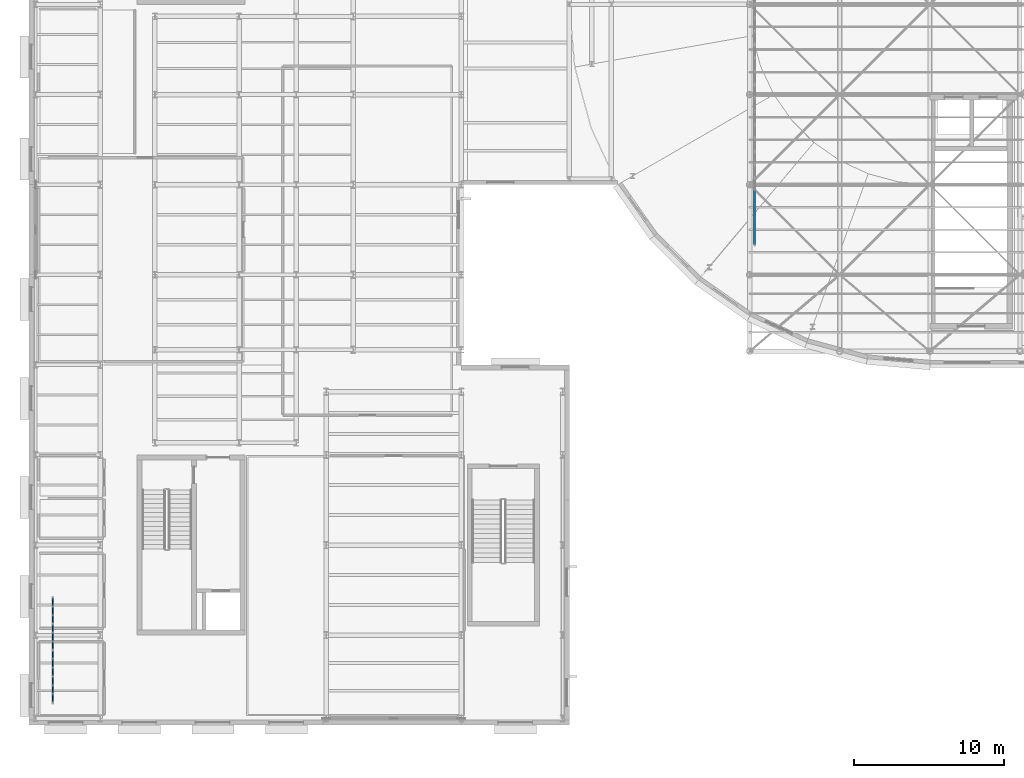
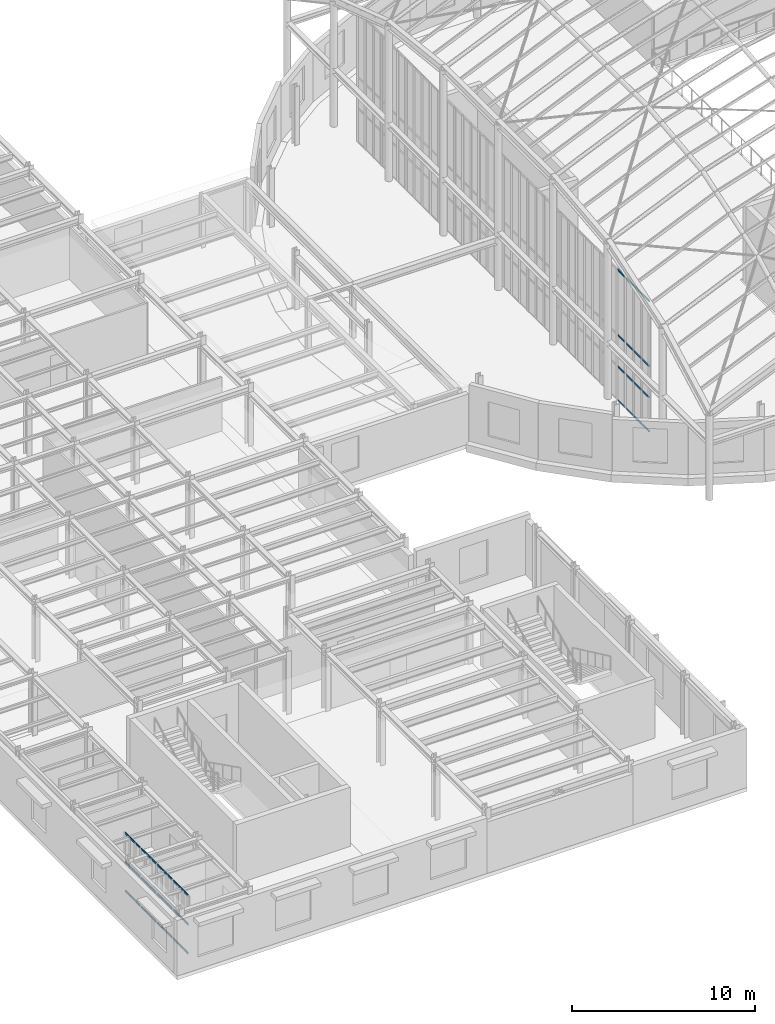
# One storey, part 41 of 75: 52 members, 6 elements without a shape of their own.
"""IFC4 building model written with IfcOpenShell, lengths in metres."""

import ifcopenshell
import ifcopenshell.guid

model = None  # the IFC model being written
_history = None  # IfcOwnerHistory: only IFC2X3 demands one
_inside = {}  # id of a spatial element -> (the spatial element, [elements in it])
_under = {}  # id of a project, library or spatial element -> (it, [spatial elements below it])
_declared = {}  # id of a project -> (the project, [libraries it declares])
_typed = {}  # id of a type object -> (the type object, [elements of that type])
_made_of = {}  # id of a material, layer set ... -> (it, [elements and type objects made of it])


def new_model(schema):
    """Start an empty IFC model of exactly this schema.

    Asked for "IFC4X3", IfcOpenShell would pick the latest addendum, in which some entities
    have other attributes; the version numbers below select the first issue.
    IFC2X3 requires an IfcOwnerHistory on every rooted entity: one is made here for all.
    """
    global model, _history
    if schema == "IFC4X3":
        model = ifcopenshell.file(schema_version=(4, 3, 0, 0))
    else:
        model = ifcopenshell.file(schema=schema)
    _inside.clear()
    _under.clear()
    _declared.clear()
    _typed.clear()
    _made_of.clear()
    _history = None
    if model.schema == "IFC2X3":
        org = make("IfcOrganization", Name="unknown")
        user = make(
            "IfcPersonAndOrganization",
            ThePerson=make("IfcPerson", FamilyName="unknown"),
            TheOrganization=org,
        )
        app = make(
            "IfcApplication",
            ApplicationDeveloper=org,
            Version="unknown",
            ApplicationFullName="unknown",
            ApplicationIdentifier="unknown",
        )
        _history = make(
            "IfcOwnerHistory",
            OwningUser=user,
            OwningApplication=app,
            ChangeAction="ADDED",
            CreationDate=0,
        )
    return model


def make(cls, **values):
    """One entity of the class cls with the attributes given. An attribute that is None is left unset."""
    return model.create_entity(
        cls, **{name: value for name, value in values.items() if value is not None}
    )


def rooted(cls, **values):
    """An entity with a GlobalId (a new one), such as an element, a storey or a relation."""
    return make(cls, GlobalId=ifcopenshell.guid.new(), OwnerHistory=_history, **values)


def si_unit(unit_type, name, prefix=None):
    """IfcSIUnit, for example si_unit("LENGTHUNIT", "METRE", prefix="MILLI")."""
    return make("IfcSIUnit", UnitType=unit_type, Prefix=prefix, Name=name)


def assignment(units):
    """IfcUnitAssignment: the units of a project."""
    return None if units is None else make("IfcUnitAssignment", Units=units)


def point(xyz):
    """IfcCartesianPoint."""
    return None if xyz is None else make("IfcCartesianPoint", Coordinates=xyz)


def direction(xyz):
    """IfcDirection."""
    return None if xyz is None else make("IfcDirection", DirectionRatios=xyz)


def frame(location, z_axis=None, x_axis=None):
    """IfcAxis2Placement3D, a coordinate frame: its origin and axes. An axis left out is left unset."""
    return make(
        "IfcAxis2Placement3D",
        Location=point(location),
        Axis=direction(z_axis),
        RefDirection=direction(x_axis),
    )


def frame_2d(location, x_axis=None):
    """IfcAxis2Placement2D, a coordinate frame in the plane: its origin and x axis."""
    return make(
        "IfcAxis2Placement2D", Location=point(location), RefDirection=direction(x_axis)
    )


def origin():
    """The frame at (0, 0, 0) with its axes left unset."""
    return frame((0.0, 0.0, 0.0))


def origin_2d():
    """The frame at (0, 0) in the plane with its x axis left unset."""
    return frame_2d((0.0, 0.0))


def place(relative_to, where):
    """IfcLocalPlacement: puts the frame where relative to a parent placement (None: the world)."""
    return make(
        "IfcLocalPlacement", PlacementRelTo=relative_to, RelativePlacement=where
    )


def context(
    kind, dimensions, precision=None, world=None, true_north=None, identifier=None
):
    """IfcGeometricRepresentationContext, for example the 3D "Model" context."""
    return make(
        "IfcGeometricRepresentationContext",
        ContextIdentifier=identifier,
        ContextType=kind,
        CoordinateSpaceDimension=dimensions,
        Precision=precision,
        WorldCoordinateSystem=world,
        TrueNorth=true_north,
    )


def subcontext(parent, identifier, kind, view, scale=None):
    """IfcGeometricRepresentationSubContext, for example "Body" below "Model"."""
    return make(
        "IfcGeometricRepresentationSubContext",
        ContextIdentifier=identifier,
        ContextType=kind,
        ParentContext=parent,
        TargetScale=scale,
        TargetView=view,
    )


def project(units=None, contexts=None):
    """IfcProject with its units and contexts."""
    return rooted(
        "IfcProject",
        Name="project",
        RepresentationContexts=contexts,
        UnitsInContext=assignment(units),
    )


def spatial(cls, under=None, at=None, **own):
    """A site, building, storey or space (cls), placed at a placement, below another one or the project."""
    s = rooted(cls, ObjectPlacement=at, **own)
    if under is not None:
        _under.setdefault(under.id(), (under, []))[1].append(s)
    return s


def profile(cls, at=None, kind="AREA", **sizes):
    """A parametric profile (cls). Its sizes go by their IFC names, for example OverallWidth=200.0."""
    return make(cls, ProfileType=kind, Position=at, **sizes)


def rectangle(**sizes):
    """IfcRectangleProfileDef."""
    return profile("IfcRectangleProfileDef", **sizes)


def extrude(swept, where, along, depth):
    """IfcExtrudedAreaSolid: the profile swept, set in the frame where, extruded along a direction by depth."""
    return make(
        "IfcExtrudedAreaSolid",
        SweptArea=swept,
        Position=where,
        ExtrudedDirection=direction(along),
        Depth=depth,
    )


def shape(context_of_items, identifier, shape_type, items):
    """IfcShapeRepresentation: the items that make up one representation, for example the "Body"."""
    return make(
        "IfcShapeRepresentation",
        ContextOfItems=context_of_items,
        RepresentationIdentifier=identifier,
        RepresentationType=shape_type,
        Items=items,
    )


def material(Name=None, Category=None):
    """IfcMaterial."""
    return make("IfcMaterial", Name=Name, Category=Category)


def material_profile(
    of_material, cross_section, Name=None, Category=None, Priority=None
):
    """IfcMaterialProfile: a cross section and its material."""
    return make(
        "IfcMaterialProfile",
        Name=Name,
        Material=of_material,
        Profile=cross_section,
        Priority=Priority,
        Category=Category,
    )


def profile_set(profiles, Name=None, composite=None):
    """IfcMaterialProfileSet."""
    return make(
        "IfcMaterialProfileSet",
        Name=Name,
        MaterialProfiles=profiles,
        CompositeProfile=composite,
    )


def made_of(thing, what):
    """Note that an element or type object is made of a material, layer set ...; save() writes the relation."""
    if what is not None:
        _made_of.setdefault(what.id(), (what, []))[1].append(thing)
    return thing


def type_object(cls, material=None, **own):
    """A type object (cls), such as IfcWallType, which elements share."""
    return made_of(rooted(cls, **own), material)


def element(
    cls,
    number,
    at=None,
    inside=None,
    cuts=None,
    type_object=None,
    material=None,
    context=None,
    identifier="Body",
    shape_type=None,
    held_by="IfcProductDefinitionShape",
    body=None,
    shapes=None,
    **own,
):
    """One element of the class cls, such as IfcWall. Its Tag is "e" and its number.

    at: its placement. inside: the storey or other place that contains it. cuts: it is an
    opening in that element (IfcRelVoidsElement). A single representation is given by context,
    identifier, shape_type and body (its items); several are given by shapes. held_by: the class
    of the entity that holds the representations. save() writes the other relations.
    """
    e = rooted(cls, Tag="e%d" % number, ObjectPlacement=at, **own)
    if body is not None:
        shapes = [shape(context, identifier, shape_type, body)]
    if shapes is not None:
        e.Representation = make(held_by, Representations=shapes)
    if inside is not None:
        _inside.setdefault(inside.id(), (inside, []))[1].append(e)
    if cuts is not None:
        rooted(
            "IfcRelVoidsElement", RelatingBuildingElement=cuts, RelatedOpeningElement=e
        )
    if type_object is not None:
        _typed.setdefault(type_object.id(), (type_object, []))[1].append(e)
    return made_of(e, material)


def aggregate(whole, parts):
    """IfcRelAggregates: a whole, such as a stair, and the parts it consists of."""
    return rooted("IfcRelAggregates", RelatingObject=whole, RelatedObjects=parts)


def save(model, path):
    """Write the relations noted so far, then the file.

    IfcRelAggregates (storeys below a building ...), IfcRelContainedInSpatialStructure (elements
    in a storey), IfcRelDefinesByType, IfcRelAssociatesMaterial and IfcRelDeclares: one each for
    every whole, place, type object, material and project.
    """
    for whole, parts in _under.values():
        aggregate(whole, parts)
    for where, things in _inside.values():
        rooted(
            "IfcRelContainedInSpatialStructure",
            RelatedElements=things,
            RelatingStructure=where,
        )
    for kind, things in _typed.values():
        rooted("IfcRelDefinesByType", RelatedObjects=things, RelatingType=kind)
    for what, things in _made_of.values():
        rooted("IfcRelAssociatesMaterial", RelatedObjects=things, RelatingMaterial=what)
    for by, libraries in _declared.values():
        rooted("IfcRelDeclares", RelatingContext=by, RelatedDefinitions=libraries)
    model.write(path)


model = new_model("IFC4")

# Units and contexts
model_context = context("Model", 3, precision=1e-05, world=origin(), true_north=direction((0.0, 1.0)))
body_context = subcontext(model_context, "Body", "Model", "MODEL_VIEW")
ifc_project = project(units=[si_unit("LENGTHUNIT", "METRE"), si_unit("AREAUNIT", "SQUARE_METRE"), si_unit("VOLUMEUNIT", "CUBIC_METRE"), si_unit("PLANEANGLEUNIT", "RADIAN"), si_unit("MASSUNIT", "GRAM", prefix="KILO")], contexts=[model_context])

# Site, building, storey
site_placement = place(None, origin())
site = spatial("IfcSite", under=ifc_project, at=site_placement, CompositionType="ELEMENT")
building_placement = place(site_placement, origin())
building = spatial("IfcBuilding", under=site, at=building_placement, Name="Kolvaren Corner Interchange", CompositionType="ELEMENT")
storey_placement = place(building_placement, frame((0.0, 0.0, 10.5)))
storey = spatial("IfcBuildingStorey", under=building, at=storey_placement, Name="L03", CompositionType="ELEMENT", Elevation=10.5)

# Curtain wall, members
ifc_material_1 = material(Name="Unitised Aluminium and Solar-Control Glass Curtain Wall", Category="aluminium")
curtain_wall_type_1 = type_object("IfcCurtainWallType", Name="CW-V5-LOGGIA", PredefinedType="NOTDEFINED", material=ifc_material_1)
curtain_wall_1_placement = place(storey_placement, origin())
curtain_wall_1 = element("IfcCurtainWall", 1, at=curtain_wall_1_placement, inside=storey, type_object=curtain_wall_type_1, Name="Corner Loggia L03 Curtain Wall Bay 01", PredefinedType="NOTDEFINED")
ifc_material_2 = material(Name="Anodised Aluminium Framing", Category="aluminium")
ifc_material_profile_1 = material_profile(ifc_material_2, rectangle(XDim=0.054931640625, YDim=0.1201171875, at=origin_2d()), Name="ALU 55x120")
ifc_profile_set_1 = profile_set([ifc_material_profile_1], Name="Anodised Aluminium Framing")
member_type_1 = type_object("IfcMemberType", Name="TRN-ALU55x120", PredefinedType="USERDEFINED", material=ifc_profile_set_1)
member_1_placement = place(storey_placement, frame((1.60009765625, 1.56005859375, 0.027587890625), z_axis=(0.0, 1.0, 0.0), x_axis=(-1.0, 0.0, 0.0)))
member_1 = element("IfcMember", 2, at=member_1_placement, type_object=member_type_1, Name="CW-158 transom 1.1", ObjectType="TRANSOM", PredefinedType="USERDEFINED", context=body_context, shape_type="SweptSolid", body=[
    extrude(rectangle(XDim=0.054931640625, YDim=0.1201171875, at=origin_2d()), origin(), (0.0, 0.0, 1.0), 0.4931640625),
])
member_2_placement = place(storey_placement, frame((1.60009765625, 1.56005859375, 1.9599609375), z_axis=(0.0, 1.0, 0.0), x_axis=(-1.0, 0.0, 0.0)))
member_2 = element("IfcMember", 3, at=member_2_placement, type_object=member_type_1, Name="CW-158 transom 1.2", ObjectType="TRANSOM", PredefinedType="USERDEFINED", context=body_context, shape_type="SweptSolid", body=[
    extrude(rectangle(XDim=0.054931640625, YDim=0.1201171875, at=origin_2d()), origin(), (0.0, 0.0, 1.0), 0.4931640625),
])
member_3_placement = place(storey_placement, frame((1.60009765625, 1.56005859375, 3.892578125), z_axis=(0.0, 1.0, 0.0), x_axis=(-1.0, 0.0, 0.0)))
member_3 = element("IfcMember", 4, at=member_3_placement, type_object=member_type_1, Name="CW-158 transom 1.3", ObjectType="TRANSOM", PredefinedType="USERDEFINED", context=body_context, shape_type="SweptSolid", body=[
    extrude(rectangle(XDim=0.054931640625, YDim=0.1201171875, at=origin_2d()), origin(), (0.0, 0.0, 1.0), 0.4931640625),
])
member_4_placement = place(storey_placement, frame((1.60009765625, 2.11328125, 0.027587890625), z_axis=(0.0, 1.0, 0.0), x_axis=(-1.0, 0.0, 0.0)))
member_4 = element("IfcMember", 5, at=member_4_placement, type_object=member_type_1, Name="CW-158 transom 2.1", ObjectType="TRANSOM", PredefinedType="USERDEFINED", context=body_context, shape_type="SweptSolid", body=[
    extrude(rectangle(XDim=0.054931640625, YDim=0.1201171875, at=origin_2d()), origin(), (0.0, 0.0, 1.0), 0.5234375),
])
member_5_placement = place(storey_placement, frame((1.60009765625, 2.11328125, 1.9599609375), z_axis=(0.0, 1.0, 0.0), x_axis=(-1.0, 0.0, 0.0)))
member_5 = element("IfcMember", 6, at=member_5_placement, type_object=member_type_1, Name="CW-158 transom 2.2", ObjectType="TRANSOM", PredefinedType="USERDEFINED", context=body_context, shape_type="SweptSolid", body=[
    extrude(rectangle(XDim=0.054931640625, YDim=0.1201171875, at=origin_2d()), origin(), (0.0, 0.0, 1.0), 0.5234375),
])
member_6_placement = place(storey_placement, frame((1.60009765625, 2.11328125, 3.892578125), z_axis=(0.0, 1.0, 0.0), x_axis=(-1.0, 0.0, 0.0)))
member_6 = element("IfcMember", 7, at=member_6_placement, type_object=member_type_1, Name="CW-158 transom 2.3", ObjectType="TRANSOM", PredefinedType="USERDEFINED", context=body_context, shape_type="SweptSolid", body=[
    extrude(rectangle(XDim=0.054931640625, YDim=0.1201171875, at=origin_2d()), origin(), (0.0, 0.0, 1.0), 0.5234375),
])
member_7_placement = place(storey_placement, frame((1.60009765625, 2.69677734375, 0.027587890625), z_axis=(0.0, 1.0, 0.0), x_axis=(-1.0, 0.0, 0.0)))
member_7 = element("IfcMember", 8, at=member_7_placement, type_object=member_type_1, Name="CW-158 transom 3.1", ObjectType="TRANSOM", PredefinedType="USERDEFINED", context=body_context, shape_type="SweptSolid", body=[
    extrude(rectangle(XDim=0.054931640625, YDim=0.1201171875, at=origin_2d()), origin(), (0.0, 0.0, 1.0), 0.4931640625),
])
member_8_placement = place(storey_placement, frame((1.60009765625, 2.69677734375, 1.9599609375), z_axis=(0.0, 1.0, 0.0), x_axis=(-1.0, 0.0, 0.0)))
member_8 = element("IfcMember", 9, at=member_8_placement, type_object=member_type_1, Name="CW-158 transom 3.2", ObjectType="TRANSOM", PredefinedType="USERDEFINED", context=body_context, shape_type="SweptSolid", body=[
    extrude(rectangle(XDim=0.054931640625, YDim=0.1201171875, at=origin_2d()), origin(), (0.0, 0.0, 1.0), 0.4931640625),
])
member_9_placement = place(storey_placement, frame((1.60009765625, 2.69677734375, 3.892578125), z_axis=(0.0, 1.0, 0.0), x_axis=(-1.0, 0.0, 0.0)))
member_9 = element("IfcMember", 10, at=member_9_placement, type_object=member_type_1, Name="CW-158 transom 3.3", ObjectType="TRANSOM", PredefinedType="USERDEFINED", context=body_context, shape_type="SweptSolid", body=[
    extrude(rectangle(XDim=0.054931640625, YDim=0.1201171875, at=origin_2d()), origin(), (0.0, 0.0, 1.0), 0.4931640625),
])
aggregate(curtain_wall_1, [member_1, member_2, member_3, member_4, member_5, member_6, member_7, member_8, member_9])

curtain_wall_2_placement = place(storey_placement, origin())
curtain_wall_2 = element("IfcCurtainWall", 11, at=curtain_wall_2_placement, inside=storey, type_object=curtain_wall_type_1, Name="Corner Loggia L03 Curtain Wall Bay 02", PredefinedType="NOTDEFINED")
member_10_placement = place(storey_placement, frame((1.60009765625, 3.31005859375, 0.027587890625), z_axis=(0.0, 1.0, 0.0), x_axis=(-1.0, 0.0, 0.0)))
member_10 = element("IfcMember", 12, at=member_10_placement, type_object=member_type_1, Name="CW-159 transom 1.1", ObjectType="TRANSOM", PredefinedType="USERDEFINED", context=body_context, shape_type="SweptSolid", body=[
    extrude(rectangle(XDim=0.054931640625, YDim=0.1201171875, at=origin_2d()), origin(), (0.0, 0.0, 1.0), 0.4931640625),
])
member_11_placement = place(storey_placement, frame((1.60009765625, 3.31005859375, 1.9599609375), z_axis=(0.0, 1.0, 0.0), x_axis=(-1.0, 0.0, 0.0)))
member_11 = element("IfcMember", 13, at=member_11_placement, type_object=member_type_1, Name="CW-159 transom 1.2", ObjectType="TRANSOM", PredefinedType="USERDEFINED", context=body_context, shape_type="SweptSolid", body=[
    extrude(rectangle(XDim=0.054931640625, YDim=0.1201171875, at=origin_2d()), origin(), (0.0, 0.0, 1.0), 0.4931640625),
])
member_12_placement = place(storey_placement, frame((1.60009765625, 3.31005859375, 3.892578125), z_axis=(0.0, 1.0, 0.0), x_axis=(-1.0, 0.0, 0.0)))
member_12 = element("IfcMember", 14, at=member_12_placement, type_object=member_type_1, Name="CW-159 transom 1.3", ObjectType="TRANSOM", PredefinedType="USERDEFINED", context=body_context, shape_type="SweptSolid", body=[
    extrude(rectangle(XDim=0.054931640625, YDim=0.1201171875, at=origin_2d()), origin(), (0.0, 0.0, 1.0), 0.4931640625),
])
member_13_placement = place(storey_placement, frame((1.60009765625, 3.86328125, 0.027587890625), z_axis=(0.0, 1.0, 0.0), x_axis=(-1.0, 0.0, 0.0)))
member_13 = element("IfcMember", 15, at=member_13_placement, type_object=member_type_1, Name="CW-159 transom 2.1", ObjectType="TRANSOM", PredefinedType="USERDEFINED", context=body_context, shape_type="SweptSolid", body=[
    extrude(rectangle(XDim=0.054931640625, YDim=0.1201171875, at=origin_2d()), origin(), (0.0, 0.0, 1.0), 0.5234375),
])
member_14_placement = place(storey_placement, frame((1.60009765625, 3.86328125, 1.9599609375), z_axis=(0.0, 1.0, 0.0), x_axis=(-1.0, 0.0, 0.0)))
member_14 = element("IfcMember", 16, at=member_14_placement, type_object=member_type_1, Name="CW-159 transom 2.2", ObjectType="TRANSOM", PredefinedType="USERDEFINED", context=body_context, shape_type="SweptSolid", body=[
    extrude(rectangle(XDim=0.054931640625, YDim=0.1201171875, at=origin_2d()), origin(), (0.0, 0.0, 1.0), 0.5234375),
])
member_15_placement = place(storey_placement, frame((1.60009765625, 3.86328125, 3.892578125), z_axis=(0.0, 1.0, 0.0), x_axis=(-1.0, 0.0, 0.0)))
member_15 = element("IfcMember", 17, at=member_15_placement, type_object=member_type_1, Name="CW-159 transom 2.3", ObjectType="TRANSOM", PredefinedType="USERDEFINED", context=body_context, shape_type="SweptSolid", body=[
    extrude(rectangle(XDim=0.054931640625, YDim=0.1201171875, at=origin_2d()), origin(), (0.0, 0.0, 1.0), 0.5234375),
])
member_16_placement = place(storey_placement, frame((1.60009765625, 4.44677734375, 0.027587890625), z_axis=(0.0, 1.0, 0.0), x_axis=(-1.0, 0.0, 0.0)))
member_16 = element("IfcMember", 18, at=member_16_placement, type_object=member_type_1, Name="CW-159 transom 3.1", ObjectType="TRANSOM", PredefinedType="USERDEFINED", context=body_context, shape_type="SweptSolid", body=[
    extrude(rectangle(XDim=0.054931640625, YDim=0.1201171875, at=origin_2d()), origin(), (0.0, 0.0, 1.0), 0.4931640625),
])
member_17_placement = place(storey_placement, frame((1.60009765625, 4.44677734375, 1.9599609375), z_axis=(0.0, 1.0, 0.0), x_axis=(-1.0, 0.0, 0.0)))
member_17 = element("IfcMember", 19, at=member_17_placement, type_object=member_type_1, Name="CW-159 transom 3.2", ObjectType="TRANSOM", PredefinedType="USERDEFINED", context=body_context, shape_type="SweptSolid", body=[
    extrude(rectangle(XDim=0.054931640625, YDim=0.1201171875, at=origin_2d()), origin(), (0.0, 0.0, 1.0), 0.4931640625),
])
member_18_placement = place(storey_placement, frame((1.60009765625, 4.44677734375, 3.892578125), z_axis=(0.0, 1.0, 0.0), x_axis=(-1.0, 0.0, 0.0)))
member_18 = element("IfcMember", 20, at=member_18_placement, type_object=member_type_1, Name="CW-159 transom 3.3", ObjectType="TRANSOM", PredefinedType="USERDEFINED", context=body_context, shape_type="SweptSolid", body=[
    extrude(rectangle(XDim=0.054931640625, YDim=0.1201171875, at=origin_2d()), origin(), (0.0, 0.0, 1.0), 0.4931640625),
])
aggregate(curtain_wall_2, [member_10, member_11, member_12, member_13, member_14, member_15, member_16, member_17, member_18])

curtain_wall_3_placement = place(storey_placement, origin())
curtain_wall_3 = element("IfcCurtainWall", 21, at=curtain_wall_3_placement, inside=storey, type_object=curtain_wall_type_1, Name="Corner Loggia L03 Curtain Wall Bay 03", PredefinedType="NOTDEFINED")
member_19_placement = place(storey_placement, frame((1.60009765625, 5.06005859375, 0.027587890625), z_axis=(0.0, 1.0, 0.0), x_axis=(-1.0, 0.0, 0.0)))
member_19 = element("IfcMember", 22, at=member_19_placement, type_object=member_type_1, Name="CW-160 transom 1.1", ObjectType="TRANSOM", PredefinedType="USERDEFINED", context=body_context, shape_type="SweptSolid", body=[
    extrude(rectangle(XDim=0.054931640625, YDim=0.1201171875, at=origin_2d()), origin(), (0.0, 0.0, 1.0), 0.4931640625),
])
member_20_placement = place(storey_placement, frame((1.60009765625, 5.06005859375, 1.9599609375), z_axis=(0.0, 1.0, 0.0), x_axis=(-1.0, 0.0, 0.0)))
member_20 = element("IfcMember", 23, at=member_20_placement, type_object=member_type_1, Name="CW-160 transom 1.2", ObjectType="TRANSOM", PredefinedType="USERDEFINED", context=body_context, shape_type="SweptSolid", body=[
    extrude(rectangle(XDim=0.054931640625, YDim=0.1201171875, at=origin_2d()), origin(), (0.0, 0.0, 1.0), 0.4931640625),
])
member_21_placement = place(storey_placement, frame((1.60009765625, 5.06005859375, 3.892578125), z_axis=(0.0, 1.0, 0.0), x_axis=(-1.0, 0.0, 0.0)))
member_21 = element("IfcMember", 24, at=member_21_placement, type_object=member_type_1, Name="CW-160 transom 1.3", ObjectType="TRANSOM", PredefinedType="USERDEFINED", context=body_context, shape_type="SweptSolid", body=[
    extrude(rectangle(XDim=0.054931640625, YDim=0.1201171875, at=origin_2d()), origin(), (0.0, 0.0, 1.0), 0.4931640625),
])
member_22_placement = place(storey_placement, frame((1.60009765625, 5.61328125, 0.027587890625), z_axis=(0.0, 1.0, 0.0), x_axis=(-1.0, 0.0, 0.0)))
member_22 = element("IfcMember", 25, at=member_22_placement, type_object=member_type_1, Name="CW-160 transom 2.1", ObjectType="TRANSOM", PredefinedType="USERDEFINED", context=body_context, shape_type="SweptSolid", body=[
    extrude(rectangle(XDim=0.054931640625, YDim=0.1201171875, at=origin_2d()), origin(), (0.0, 0.0, 1.0), 0.5234375),
])
member_23_placement = place(storey_placement, frame((1.60009765625, 5.61328125, 1.9599609375), z_axis=(0.0, 1.0, 0.0), x_axis=(-1.0, 0.0, 0.0)))
member_23 = element("IfcMember", 26, at=member_23_placement, type_object=member_type_1, Name="CW-160 transom 2.2", ObjectType="TRANSOM", PredefinedType="USERDEFINED", context=body_context, shape_type="SweptSolid", body=[
    extrude(rectangle(XDim=0.054931640625, YDim=0.1201171875, at=origin_2d()), origin(), (0.0, 0.0, 1.0), 0.5234375),
])
member_24_placement = place(storey_placement, frame((1.60009765625, 5.61328125, 3.892578125), z_axis=(0.0, 1.0, 0.0), x_axis=(-1.0, 0.0, 0.0)))
member_24 = element("IfcMember", 27, at=member_24_placement, type_object=member_type_1, Name="CW-160 transom 2.3", ObjectType="TRANSOM", PredefinedType="USERDEFINED", context=body_context, shape_type="SweptSolid", body=[
    extrude(rectangle(XDim=0.054931640625, YDim=0.1201171875, at=origin_2d()), origin(), (0.0, 0.0, 1.0), 0.5234375),
])
member_25_placement = place(storey_placement, frame((1.60009765625, 6.19677734375, 0.027587890625), z_axis=(0.0, 1.0, 0.0), x_axis=(-1.0, 0.0, 0.0)))
member_25 = element("IfcMember", 28, at=member_25_placement, type_object=member_type_1, Name="CW-160 transom 3.1", ObjectType="TRANSOM", PredefinedType="USERDEFINED", context=body_context, shape_type="SweptSolid", body=[
    extrude(rectangle(XDim=0.054931640625, YDim=0.1201171875, at=origin_2d()), origin(), (0.0, 0.0, 1.0), 0.4931640625),
])
member_26_placement = place(storey_placement, frame((1.60009765625, 6.19677734375, 1.9599609375), z_axis=(0.0, 1.0, 0.0), x_axis=(-1.0, 0.0, 0.0)))
member_26 = element("IfcMember", 29, at=member_26_placement, type_object=member_type_1, Name="CW-160 transom 3.2", ObjectType="TRANSOM", PredefinedType="USERDEFINED", context=body_context, shape_type="SweptSolid", body=[
    extrude(rectangle(XDim=0.054931640625, YDim=0.1201171875, at=origin_2d()), origin(), (0.0, 0.0, 1.0), 0.4931640625),
])
member_27_placement = place(storey_placement, frame((1.60009765625, 6.19677734375, 3.892578125), z_axis=(0.0, 1.0, 0.0), x_axis=(-1.0, 0.0, 0.0)))
member_27 = element("IfcMember", 30, at=member_27_placement, type_object=member_type_1, Name="CW-160 transom 3.3", ObjectType="TRANSOM", PredefinedType="USERDEFINED", context=body_context, shape_type="SweptSolid", body=[
    extrude(rectangle(XDim=0.054931640625, YDim=0.1201171875, at=origin_2d()), origin(), (0.0, 0.0, 1.0), 0.4931640625),
])
aggregate(curtain_wall_3, [member_19, member_20, member_21, member_22, member_23, member_24, member_25, member_26, member_27])

curtain_wall_4_placement = place(storey_placement, origin())
curtain_wall_4 = element("IfcCurtainWall", 31, at=curtain_wall_4_placement, inside=storey, type_object=curtain_wall_type_1, Name="Corner Loggia L03 Curtain Wall Bay 04", PredefinedType="NOTDEFINED")
member_28_placement = place(storey_placement, frame((1.60009765625, 6.81005859375, 0.027587890625), z_axis=(0.0, 1.0, 0.0), x_axis=(-1.0, 0.0, 0.0)))
member_28 = element("IfcMember", 32, at=member_28_placement, type_object=member_type_1, Name="CW-161 transom 1.1", ObjectType="TRANSOM", PredefinedType="USERDEFINED", context=body_context, shape_type="SweptSolid", body=[
    extrude(rectangle(XDim=0.054931640625, YDim=0.1201171875, at=origin_2d()), origin(), (0.0, 0.0, 1.0), 0.4931640625),
])
member_29_placement = place(storey_placement, frame((1.60009765625, 6.81005859375, 1.9599609375), z_axis=(0.0, 1.0, 0.0), x_axis=(-1.0, 0.0, 0.0)))
member_29 = element("IfcMember", 33, at=member_29_placement, type_object=member_type_1, Name="CW-161 transom 1.2", ObjectType="TRANSOM", PredefinedType="USERDEFINED", context=body_context, shape_type="SweptSolid", body=[
    extrude(rectangle(XDim=0.054931640625, YDim=0.1201171875, at=origin_2d()), origin(), (0.0, 0.0, 1.0), 0.4931640625),
])
member_30_placement = place(storey_placement, frame((1.60009765625, 6.81005859375, 3.892578125), z_axis=(0.0, 1.0, 0.0), x_axis=(-1.0, 0.0, 0.0)))
member_30 = element("IfcMember", 34, at=member_30_placement, type_object=member_type_1, Name="CW-161 transom 1.3", ObjectType="TRANSOM", PredefinedType="USERDEFINED", context=body_context, shape_type="SweptSolid", body=[
    extrude(rectangle(XDim=0.054931640625, YDim=0.1201171875, at=origin_2d()), origin(), (0.0, 0.0, 1.0), 0.4931640625),
])
member_31_placement = place(storey_placement, frame((1.60009765625, 7.36328125, 0.027587890625), z_axis=(0.0, 1.0, 0.0), x_axis=(-1.0, 0.0, 0.0)))
member_31 = element("IfcMember", 35, at=member_31_placement, type_object=member_type_1, Name="CW-161 transom 2.1", ObjectType="TRANSOM", PredefinedType="USERDEFINED", context=body_context, shape_type="SweptSolid", body=[
    extrude(rectangle(XDim=0.054931640625, YDim=0.1201171875, at=origin_2d()), origin(), (0.0, 0.0, 1.0), 0.5234375),
])
member_32_placement = place(storey_placement, frame((1.60009765625, 7.36328125, 1.9599609375), z_axis=(0.0, 1.0, 0.0), x_axis=(-1.0, 0.0, 0.0)))
member_32 = element("IfcMember", 36, at=member_32_placement, type_object=member_type_1, Name="CW-161 transom 2.2", ObjectType="TRANSOM", PredefinedType="USERDEFINED", context=body_context, shape_type="SweptSolid", body=[
    extrude(rectangle(XDim=0.054931640625, YDim=0.1201171875, at=origin_2d()), origin(), (0.0, 0.0, 1.0), 0.5234375),
])
member_33_placement = place(storey_placement, frame((1.60009765625, 7.36328125, 3.892578125), z_axis=(0.0, 1.0, 0.0), x_axis=(-1.0, 0.0, 0.0)))
member_33 = element("IfcMember", 37, at=member_33_placement, type_object=member_type_1, Name="CW-161 transom 2.3", ObjectType="TRANSOM", PredefinedType="USERDEFINED", context=body_context, shape_type="SweptSolid", body=[
    extrude(rectangle(XDim=0.054931640625, YDim=0.1201171875, at=origin_2d()), origin(), (0.0, 0.0, 1.0), 0.5234375),
])
member_34_placement = place(storey_placement, frame((1.60009765625, 7.94677734375, 0.027587890625), z_axis=(0.0, 1.0, 0.0), x_axis=(-1.0, 0.0, 0.0)))
member_34 = element("IfcMember", 38, at=member_34_placement, type_object=member_type_1, Name="CW-161 transom 3.1", ObjectType="TRANSOM", PredefinedType="USERDEFINED", context=body_context, shape_type="SweptSolid", body=[
    extrude(rectangle(XDim=0.054931640625, YDim=0.1201171875, at=origin_2d()), origin(), (0.0, 0.0, 1.0), 0.4931640625),
])
member_35_placement = place(storey_placement, frame((1.60009765625, 7.94677734375, 1.9599609375), z_axis=(0.0, 1.0, 0.0), x_axis=(-1.0, 0.0, 0.0)))
member_35 = element("IfcMember", 39, at=member_35_placement, type_object=member_type_1, Name="CW-161 transom 3.2", ObjectType="TRANSOM", PredefinedType="USERDEFINED", context=body_context, shape_type="SweptSolid", body=[
    extrude(rectangle(XDim=0.054931640625, YDim=0.1201171875, at=origin_2d()), origin(), (0.0, 0.0, 1.0), 0.4931640625),
])
member_36_placement = place(storey_placement, frame((1.60009765625, 7.94677734375, 3.892578125), z_axis=(0.0, 1.0, 0.0), x_axis=(-1.0, 0.0, 0.0)))
member_36 = element("IfcMember", 40, at=member_36_placement, type_object=member_type_1, Name="CW-161 transom 3.3", ObjectType="TRANSOM", PredefinedType="USERDEFINED", context=body_context, shape_type="SweptSolid", body=[
    extrude(rectangle(XDim=0.054931640625, YDim=0.1201171875, at=origin_2d()), origin(), (0.0, 0.0, 1.0), 0.4931640625),
])
aggregate(curtain_wall_4, [member_28, member_29, member_30, member_31, member_32, member_33, member_34, member_35, member_36])

ifc_material_3 = material(Name="Unitised Aluminium and Solar-Control Glass Curtain Wall", Category="aluminium")
curtain_wall_type_2 = type_object("IfcCurtainWallType", Name="CW-V1-CLER", PredefinedType="NOTDEFINED", material=ifc_material_3)
curtain_wall_5_placement = place(storey_placement, origin())
curtain_wall_5 = element("IfcCurtainWall", 41, at=curtain_wall_5_placement, inside=storey, type_object=curtain_wall_type_2, Name="Gridshell West End Curtain Wall Bay 01", PredefinedType="NOTDEFINED")
ifc_material_4 = material(Name="Anodised Aluminium Framing", Category="aluminium")
ifc_material_profile_2 = material_profile(ifc_material_4, rectangle(XDim=0.06005859375, YDim=0.110107421875, at=origin_2d()), Name="ALU 60x110")
ifc_profile_set_2 = profile_set([ifc_material_profile_2], Name="Anodised Aluminium Framing")
member_type_2 = type_object("IfcMemberType", Name="TRN-ALU60x110", PredefinedType="USERDEFINED", material=ifc_profile_set_2)
member_37_placement = place(storey_placement, frame((48.35009765625, 32.070068359375, 0.030029296875), z_axis=(0.0, 1.0, 0.0), x_axis=(-1.0, 0.0, 0.0)))
member_37 = element("IfcMember", 42, at=member_37_placement, type_object=member_type_2, Name="CW-082 transom 1.1", ObjectType="TRANSOM", PredefinedType="USERDEFINED", context=body_context, shape_type="SweptSolid", body=[
    extrude(rectangle(XDim=0.06005859375, YDim=0.110107421875, at=origin_2d()), origin(), (0.0, 0.0, 1.0), 0.783935546875),
])
member_38_placement = place(storey_placement, frame((48.35009765625, 32.070068359375, 2.300048828125), z_axis=(0.0, 1.0, 0.0), x_axis=(-1.0, 0.0, 0.0)))
member_38 = element("IfcMember", 43, at=member_38_placement, type_object=member_type_2, Name="CW-082 transom 1.2", ObjectType="TRANSOM", PredefinedType="USERDEFINED", context=body_context, shape_type="SweptSolid", body=[
    extrude(rectangle(XDim=0.06005859375, YDim=0.110107421875, at=origin_2d()), origin(), (0.0, 0.0, 1.0), 0.783935546875),
])
member_39_placement = place(storey_placement, frame((48.35009765625, 32.070068359375, 4.39990234375), z_axis=(0.0, 1.0, 0.0), x_axis=(-1.0, 0.0, 0.0)))
member_39 = element("IfcMember", 44, at=member_39_placement, type_object=member_type_2, Name="CW-082 transom 1.3", ObjectType="TRANSOM", PredefinedType="USERDEFINED", context=body_context, shape_type="SweptSolid", body=[
    extrude(rectangle(XDim=0.06005859375, YDim=0.110107421875, at=origin_2d()), origin(), (0.0, 0.0, 1.0), 0.783935546875),
])
member_40_placement = place(storey_placement, frame((48.35009765625, 32.070068359375, 8.741943359375), z_axis=(0.0, 1.0, 0.0), x_axis=(-1.0, 0.0, 0.0)))
member_40 = element("IfcMember", 45, at=member_40_placement, type_object=member_type_2, Name="CW-082 transom 1.4", ObjectType="TRANSOM", PredefinedType="USERDEFINED", context=body_context, shape_type="SweptSolid", body=[
    extrude(rectangle(XDim=0.06005859375, YDim=0.110107421875, at=origin_2d()), origin(), (0.0, 0.0, 1.0), 0.783935546875),
])
member_41_placement = place(storey_placement, frame((48.35009765625, 32.923828125, 0.030029296875), z_axis=(0.0, 1.0, 0.0), x_axis=(-1.0, 0.0, 0.0)))
member_41 = element("IfcMember", 46, at=member_41_placement, type_object=member_type_2, Name="CW-082 transom 2.1", ObjectType="TRANSOM", PredefinedType="USERDEFINED", context=body_context, shape_type="SweptSolid", body=[
    extrude(rectangle(XDim=0.06005859375, YDim=0.110107421875, at=origin_2d()), origin(), (0.0, 0.0, 1.0), 0.819091796875),
])
member_42_placement = place(storey_placement, frame((48.35009765625, 32.923828125, 2.300048828125), z_axis=(0.0, 1.0, 0.0), x_axis=(-1.0, 0.0, 0.0)))
member_42 = element("IfcMember", 47, at=member_42_placement, type_object=member_type_2, Name="CW-082 transom 2.2", ObjectType="TRANSOM", PredefinedType="USERDEFINED", context=body_context, shape_type="SweptSolid", body=[
    extrude(rectangle(XDim=0.06005859375, YDim=0.110107421875, at=origin_2d()), origin(), (0.0, 0.0, 1.0), 0.819091796875),
])
member_43_placement = place(storey_placement, frame((48.35009765625, 32.923828125, 4.39990234375), z_axis=(0.0, 1.0, 0.0), x_axis=(-1.0, 0.0, 0.0)))
member_43 = element("IfcMember", 48, at=member_43_placement, type_object=member_type_2, Name="CW-082 transom 2.3", ObjectType="TRANSOM", PredefinedType="USERDEFINED", context=body_context, shape_type="SweptSolid", body=[
    extrude(rectangle(XDim=0.06005859375, YDim=0.110107421875, at=origin_2d()), origin(), (0.0, 0.0, 1.0), 0.819091796875),
])
member_44_placement = place(storey_placement, frame((48.35009765625, 32.923828125, 8.741943359375), z_axis=(0.0, 1.0, 0.0), x_axis=(-1.0, 0.0, 0.0)))
member_44 = element("IfcMember", 49, at=member_44_placement, type_object=member_type_2, Name="CW-082 transom 2.4", ObjectType="TRANSOM", PredefinedType="USERDEFINED", context=body_context, shape_type="SweptSolid", body=[
    extrude(rectangle(XDim=0.06005859375, YDim=0.110107421875, at=origin_2d()), origin(), (0.0, 0.0, 1.0), 0.819091796875),
])
member_45_placement = place(storey_placement, frame((48.35009765625, 33.812744140625, 0.030029296875), z_axis=(0.0, 1.0, 0.0), x_axis=(-1.0, 0.0, 0.0)))
member_45 = element("IfcMember", 50, at=member_45_placement, type_object=member_type_2, Name="CW-082 transom 3.1", ObjectType="TRANSOM", PredefinedType="USERDEFINED", context=body_context, shape_type="SweptSolid", body=[
    extrude(rectangle(XDim=0.06005859375, YDim=0.110107421875, at=origin_2d()), origin(), (0.0, 0.0, 1.0), 0.783935546875),
])
member_46_placement = place(storey_placement, frame((48.35009765625, 33.812744140625, 2.300048828125), z_axis=(0.0, 1.0, 0.0), x_axis=(-1.0, 0.0, 0.0)))
member_46 = element("IfcMember", 51, at=member_46_placement, type_object=member_type_2, Name="CW-082 transom 3.2", ObjectType="TRANSOM", PredefinedType="USERDEFINED", context=body_context, shape_type="SweptSolid", body=[
    extrude(rectangle(XDim=0.06005859375, YDim=0.110107421875, at=origin_2d()), origin(), (0.0, 0.0, 1.0), 0.783935546875),
])
member_47_placement = place(storey_placement, frame((48.35009765625, 33.812744140625, 4.39990234375), z_axis=(0.0, 1.0, 0.0), x_axis=(-1.0, 0.0, 0.0)))
member_47 = element("IfcMember", 52, at=member_47_placement, type_object=member_type_2, Name="CW-082 transom 3.3", ObjectType="TRANSOM", PredefinedType="USERDEFINED", context=body_context, shape_type="SweptSolid", body=[
    extrude(rectangle(XDim=0.06005859375, YDim=0.110107421875, at=origin_2d()), origin(), (0.0, 0.0, 1.0), 0.783935546875),
])
member_48_placement = place(storey_placement, frame((48.35009765625, 33.812744140625, 8.741943359375), z_axis=(0.0, 1.0, 0.0), x_axis=(-1.0, 0.0, 0.0)))
member_48 = element("IfcMember", 53, at=member_48_placement, type_object=member_type_2, Name="CW-082 transom 3.4", ObjectType="TRANSOM", PredefinedType="USERDEFINED", context=body_context, shape_type="SweptSolid", body=[
    extrude(rectangle(XDim=0.06005859375, YDim=0.110107421875, at=origin_2d()), origin(), (0.0, 0.0, 1.0), 0.783935546875),
])
aggregate(curtain_wall_5, [member_37, member_38, member_39, member_40, member_41, member_42, member_43, member_44, member_45, member_46, member_47, member_48])

curtain_wall_6_placement = place(storey_placement, origin())
curtain_wall_6 = element("IfcCurtainWall", 54, at=curtain_wall_6_placement, inside=storey, type_object=curtain_wall_type_2, Name="Gridshell West End Curtain Wall Bay 02", PredefinedType="NOTDEFINED")
member_49_placement = place(storey_placement, frame((48.35009765625, 34.73681640625, 0.030029296875), z_axis=(0.0, 1.0, 0.0), x_axis=(-1.0, 0.0, 0.0)))
member_49 = element("IfcMember", 55, at=member_49_placement, type_object=member_type_2, Name="CW-083 transom 1.1", ObjectType="TRANSOM", PredefinedType="USERDEFINED", context=body_context, shape_type="SweptSolid", body=[
    extrude(rectangle(XDim=0.06005859375, YDim=0.110107421875, at=origin_2d()), origin(), (0.0, 0.0, 1.0), 0.78369140625),
])
member_50_placement = place(storey_placement, frame((48.35009765625, 34.73681640625, 2.300048828125), z_axis=(0.0, 1.0, 0.0), x_axis=(-1.0, 0.0, 0.0)))
member_50 = element("IfcMember", 56, at=member_50_placement, type_object=member_type_2, Name="CW-083 transom 1.2", ObjectType="TRANSOM", PredefinedType="USERDEFINED", context=body_context, shape_type="SweptSolid", body=[
    extrude(rectangle(XDim=0.06005859375, YDim=0.110107421875, at=origin_2d()), origin(), (0.0, 0.0, 1.0), 0.78369140625),
])
member_51_placement = place(storey_placement, frame((48.35009765625, 34.73681640625, 4.39990234375), z_axis=(0.0, 1.0, 0.0), x_axis=(-1.0, 0.0, 0.0)))
member_51 = element("IfcMember", 57, at=member_51_placement, type_object=member_type_2, Name="CW-083 transom 1.3", ObjectType="TRANSOM", PredefinedType="USERDEFINED", context=body_context, shape_type="SweptSolid", body=[
    extrude(rectangle(XDim=0.06005859375, YDim=0.110107421875, at=origin_2d()), origin(), (0.0, 0.0, 1.0), 0.78369140625),
])
member_52_placement = place(storey_placement, frame((48.35009765625, 34.73681640625, 8.741943359375), z_axis=(0.0, 1.0, 0.0), x_axis=(-1.0, 0.0, 0.0)))
member_52 = element("IfcMember", 58, at=member_52_placement, type_object=member_type_2, Name="CW-083 transom 1.4", ObjectType="TRANSOM", PredefinedType="USERDEFINED", context=body_context, shape_type="SweptSolid", body=[
    extrude(rectangle(XDim=0.06005859375, YDim=0.110107421875, at=origin_2d()), origin(), (0.0, 0.0, 1.0), 0.78369140625),
])
aggregate(curtain_wall_6, [member_49, member_50, member_51, member_52])

save(model, "model.ifc")
